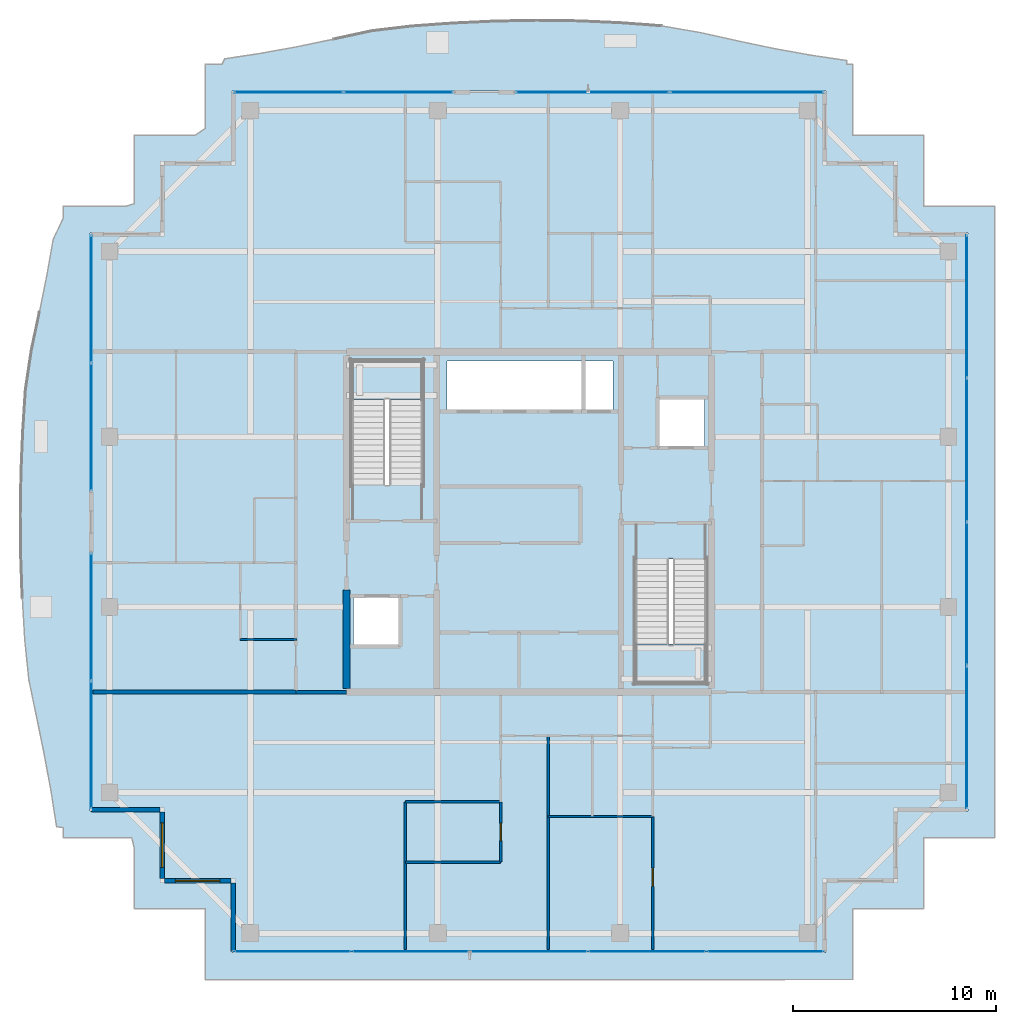
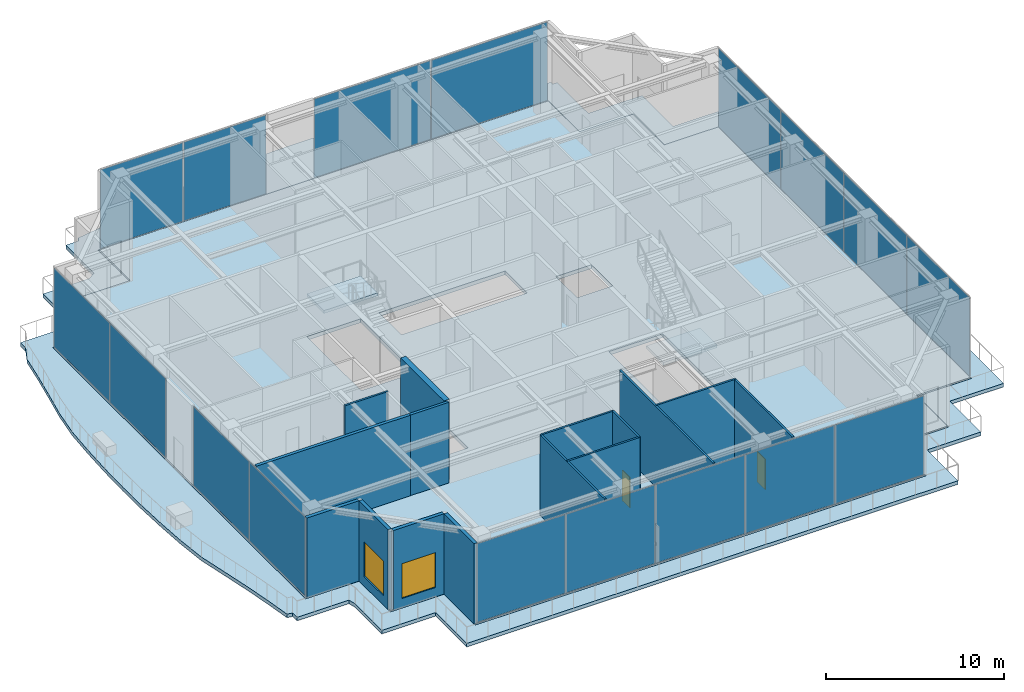
# One storey, part 25 of 38: 17 plates, 15 walls, 4 slabs, 2 doors, 2 windows, 4 openings, 8 elements without a shape of their own.
"""IFC4 building model written with IfcOpenShell, lengths in metres."""

from ifc_helpers import new_model, si_unit, direction, frame, frame_2d, origin, origin_2d, place, context, subcontext, project, spatial, polyline, rectangle, outline, extrude, source, transform, mapped, material, layer, layer_set, type_object, element, fill, aggregate, save


model = new_model("IFC4")

# Units and contexts
model_context = context("Model", 3, precision=1e-05, world=origin(), true_north=direction((0.0, 1.0)))
body_context = subcontext(model_context, "Body", "Model", "MODEL_VIEW")
ifc_project = project(units=[si_unit("LENGTHUNIT", "METRE"), si_unit("AREAUNIT", "SQUARE_METRE"), si_unit("VOLUMEUNIT", "CUBIC_METRE"), si_unit("PLANEANGLEUNIT", "RADIAN"), si_unit("MASSUNIT", "GRAM", prefix="KILO")], contexts=[model_context])

# Site, building, storey
site_placement = place(None, origin())
site = spatial("IfcSite", under=ifc_project, at=site_placement, CompositionType="ELEMENT")
building_placement = place(site_placement, origin())
building = spatial("IfcBuilding", under=site, at=building_placement, Name="Serunith Strait Residences", CompositionType="ELEMENT")
storey_placement = place(building_placement, frame((0.0, 0.0, 353.85009765625)))
storey = spatial("IfcBuildingStorey", under=building, at=storey_placement, Name="L87", CompositionType="ELEMENT", Elevation=353.85009765625)

# Slab
ifc_material_1 = material(Name="Concrete C50/60", Category="concrete")
ifc_layer_1 = layer(ifc_material_1, 0.239990234375, Name="Concrete C50/60")
ifc_layer_set_1 = layer_set([ifc_layer_1], Name="Concrete C50/60")
slab_type_1 = type_object("IfcSlabType", Name="SLB-BALC-240", PredefinedType="FLOOR", material=ifc_layer_set_1)
slab_1_placement = place(storey_placement, frame((0.0, 0.0, -0.2900390625)))
element("IfcSlab", 1, at=slab_1_placement, inside=storey, type_object=slab_type_1, Name="L87 Planted Vertical-Forest Balcony Slab", PredefinedType="FLOOR", context=body_context, shape_type="SweptSolid", body=[
    extrude(outline(polyline([(9.419921875, 9.6201171875), (9.419921875, 10.1142578125), (9.08935546875, 10.1630859375), (8.811767578125, 11.931640625), (8.481201171875, 13.720458984375), (8.108154296875, 15.547119140625), (7.716064453125, 17.42919921875), (7.515869140625, 19.420654296875), (7.3984375, 21.45751953125), (7.327392578125, 23.516845703125), (7.307861328125, 25.587158203125), (7.341796875, 27.655517578125), (7.42724609375, 29.708984375), (7.55859375, 31.736083984375), (7.85205078125, 33.685791015625), (8.243408203125, 35.544921875), (8.605224609375, 37.3544921875), (8.919189453125, 39.1328125), (9.419921875, 40.197265625), (9.419921875, 40.780029296875), (12.509765625, 40.780029296875), (12.919921875, 40.90283203125), (12.919921875, 44.280029296875), (15.913818359375, 44.280029296875), (16.419921875, 44.608154296875), (16.419921875, 47.780029296875), (17.244384765625, 47.780029296875), (17.380615234375, 48.052490234375), (19.149169921875, 48.32080078125), (20.935302734375, 48.645751953125), (22.755615234375, 49.02099609375), (24.629150390625, 49.426513671875), (26.61083984375, 49.664306640625), (28.646728515625, 49.809326171875), (30.710205078125, 49.90673828125), (32.7890625, 49.945068359375), (34.867919921875, 49.91748046875), (36.929931640625, 49.82470703125), (38.961181640625, 49.6748046875), (40.902099609375, 49.340087890625), (42.751708984375, 48.92529296875), (44.551513671875, 48.548828125), (46.322509765625, 48.229248046875), (48.081298828125, 47.969970703125), (48.079345703125, 47.780029296875), (48.3798828125, 47.780029296875), (48.3798828125, 44.280029296875), (51.8798828125, 44.280029296875), (51.8798828125, 40.780029296875), (55.3798828125, 40.780029296875), (55.3798828125, 9.6201171875), (51.8798828125, 9.6201171875), (51.8798828125, 6.1201171875), (48.43212890625, 6.1201171875), (48.3798828125, 6.0927734375), (48.3798828125, 2.6201171875), (16.419921875, 2.6201171875), (16.419921875, 6.1201171875), (12.919921875, 6.1201171875), (12.919921875, 9.119140625), (12.79931640625, 9.6201171875), (9.419921875, 9.6201171875)]), holes=[polyline([(47.054931640625, 3.945068359375), (47.054931640625, 7.445068359375), (50.554931640625, 7.445068359375), (50.554931640625, 10.945068359375), (54.054931640625, 10.945068359375), (54.054931640625, 39.455078125), (50.554931640625, 39.455078125), (50.554931640625, 42.955078125), (47.054931640625, 42.955078125), (47.054931640625, 46.455078125), (17.7451171875, 46.455078125), (17.7451171875, 42.955078125), (14.2451171875, 42.955078125), (14.2451171875, 39.455078125), (10.7451171875, 39.455078125), (10.7451171875, 10.945068359375), (14.2451171875, 10.945068359375), (14.2451171875, 7.445068359375), (17.7451171875, 7.445068359375), (17.7451171875, 3.945068359375), (47.054931640625, 3.945068359375)])]), origin(), (0.0, 0.0, 1.0), 0.239990234375),
])

# Stair, slab
stair_type_1 = type_object("IfcStairType", Name="STR-CORE-1", PredefinedType="HALF_TURN_STAIR", material=ifc_material_1)
stair_1_placement = place(storey_placement, origin())
stair_1 = element("IfcStair", 2, at=stair_1_placement, inside=storey, type_object=stair_type_1, Name="L87 Protected Escape Stair ST-1", PredefinedType="HALF_TURN_STAIR")
ifc_layer_2 = layer(ifc_material_1, 0.199951171875, Name="Concrete C50/60")
ifc_layer_set_2 = layer_set([ifc_layer_2], Name="Concrete C50/60")
slab_type_2 = type_object("IfcSlabType", Name="SLB-LAND-200", PredefinedType="LANDING", material=ifc_layer_set_2)
slab_2_placement = place(storey_placement, frame((0.0, 0.0, 2.75)))
slab_2 = element("IfcSlab", 3, at=slab_2_placement, type_object=slab_type_2, Name="ST-1 landing 1", PredefinedType="LANDING", context=body_context, shape_type="SweptSolid", body=[
    extrude(outline(polyline([(27.14990234375, 31.22998046875), (27.14990234375, 33.14990234375), (23.64990234375, 33.14990234375), (23.64990234375, 31.22998046875), (27.14990234375, 31.22998046875)])), origin(), (0.0, 0.0, 1.0), 0.199951171875),
])
aggregate(stair_1, [slab_2])

stair_type_2 = type_object("IfcStairType", Name="STR-CORE-2", PredefinedType="HALF_TURN_STAIR", material=ifc_material_1)
stair_2_placement = place(storey_placement, origin())
stair_2 = element("IfcStair", 4, at=stair_2_placement, inside=storey, type_object=stair_type_2, Name="L87 Protected Escape Stair ST-2", PredefinedType="HALF_TURN_STAIR")
slab_3_placement = place(storey_placement, frame((0.0, 0.0, 2.75)))
slab_3 = element("IfcSlab", 5, at=slab_3_placement, type_object=slab_type_2, Name="ST-2 landing 1", PredefinedType="LANDING", context=body_context, shape_type="SweptSolid", body=[
    extrude(outline(polyline([(37.64990234375, 19.169921875), (37.64990234375, 17.25), (41.14990234375, 17.25), (41.14990234375, 19.169921875), (37.64990234375, 19.169921875)])), origin(), (0.0, 0.0, 1.0), 0.199951171875),
])
aggregate(stair_2, [slab_3])

# Slab
ifc_material_2 = material(Name="Concrete C60/75", Category="concrete")
ifc_layer_3 = layer(ifc_material_2, 0.260009765625, Name="Concrete C60/75")
ifc_layer_set_3 = layer_set([ifc_layer_3], Name="Concrete C60/75")
slab_type_3 = type_object("IfcSlabType", Name="SLB-TWR-290-Z4", PredefinedType="FLOOR", material=ifc_layer_set_3)
slab_4_placement = place(storey_placement, frame((0.0, 0.0, -0.260009765625)))
element("IfcSlab", 6, at=slab_4_placement, inside=storey, type_object=slab_type_3, Name="L87 Structural Floor Plate", PredefinedType="FLOOR", context=body_context, shape_type="SweptSolid", body=[
    extrude(outline(polyline([(17.800048828125, 7.5), (14.300048828125, 7.5), (14.300048828125, 11.0), (10.800048828125, 11.0), (10.800048828125, 39.39990234375), (14.300048828125, 39.39990234375), (14.300048828125, 42.89990234375), (17.800048828125, 42.89990234375), (17.800048828125, 46.39990234375), (47.0, 46.39990234375), (47.0, 42.89990234375), (50.5, 42.89990234375), (50.5, 39.39990234375), (54.0, 39.39990234375), (54.0, 11.0), (50.5, 11.0), (50.5, 7.5), (47.0, 7.5), (47.0, 4.0), (17.800048828125, 4.0), (17.800048828125, 7.5)]), holes=[polyline([(41.14990234375, 23.3701171875), (37.64990234375, 23.3701171875), (37.64990234375, 17.25), (41.14990234375, 17.25), (41.14990234375, 23.3701171875)]), polyline([(38.75, 31.25), (38.75, 28.85009765625), (41.050048828125, 28.85009765625), (41.050048828125, 31.25), (38.75, 31.25)]), polyline([(36.550048828125, 33.14990234375), (28.35009765625, 33.14990234375), (28.35009765625, 30.64990234375), (36.550048828125, 30.64990234375), (36.550048828125, 33.14990234375)]), polyline([(23.64990234375, 33.14990234375), (23.64990234375, 27.030029296875), (27.14990234375, 27.030029296875), (27.14990234375, 33.14990234375), (23.64990234375, 33.14990234375)]), polyline([(23.75, 21.550048828125), (23.75, 19.14990234375), (26.050048828125, 19.14990234375), (26.050048828125, 21.550048828125), (23.75, 21.550048828125)])]), origin(), (0.0, 0.0, 1.0), 0.260009765625),
])

# Curtain wall, plates
ifc_material_3 = material(Name="Brushed Stainless-Silver Aluminium", Category="aluminium")
ifc_layer_4 = layer(ifc_material_3, 0.199951171875, Name="Brushed Stainless-Silver Aluminium")
ifc_layer_set_4 = layer_set([ifc_layer_4], Name="Brushed Stainless-Silver Aluminium")
curtain_wall_type = type_object("IfcCurtainWallType", Name="CW-SYS5", PredefinedType="NOTDEFINED", material=ifc_layer_set_4)
curtain_wall_1_placement = place(storey_placement, origin())
curtain_wall_1 = element("IfcCurtainWall", 7, at=curtain_wall_1_placement, inside=storey, type_object=curtain_wall_type, Name="L87 S Unitised Fritted Curtain Wall", PredefinedType="NOTDEFINED")
ifc_material_4 = material(Name="Triple-Silver Low-E Operable Glazing 34mm", Category="glass")
ifc_layer_5 = layer(ifc_material_4, 0.033935546875, Name="Triple-Silver Low-E Operable Glazing 34mm")
ifc_layer_set_5 = layer_set([ifc_layer_5], Name="Triple-Silver Low-E Operable Glazing 34mm")
plate_type = type_object("IfcPlateType", Name="CW-SYS5-PNL", PredefinedType="CURTAIN_PANEL", material=ifc_layer_set_5)
shared_shape_1 = source(origin(), body_context, "Body", "SweptSolid", [
    extrude(rectangle(XDim=5.742431640625, YDim=0.033935546875, at=origin_2d()), origin(), (0.0, 0.0, 1.0), 5.405029296875),
])
plate_1_placement = place(storey_placement, frame((20.736328125, 4.0, 0.06005859375), z_axis=(0.0, 0.0, 1.0), x_axis=(1.0, 0.0, 0.0)))
plate_1 = element("IfcPlate", 8, at=plate_1_placement, type_object=plate_type, Name="CW-5 panel 1.1", PredefinedType="CURTAIN_PANEL", context=body_context, shape_type="MappedRepresentation", body=[
    mapped(shared_shape_1, transform((0.0, 0.0, 0.0), scale=1.0)),
])
plate_2_placement = place(storey_placement, frame((44.063720703125, 4.0, 0.06005859375), z_axis=(0.0, 0.0, 1.0), x_axis=(1.0, 0.0, 0.0)))
plate_2 = element("IfcPlate", 9, at=plate_2_placement, type_object=plate_type, Name="CW-5 panel 5.1", PredefinedType="CURTAIN_PANEL", context=body_context, shape_type="MappedRepresentation", body=[
    mapped(shared_shape_1, transform((0.0, 0.0, 0.0), scale=1.0)),
])
shared_shape_2 = source(origin(), body_context, "Body", "SweptSolid", [
    extrude(rectangle(XDim=5.77490234375, YDim=0.033935546875, at=origin_2d()), origin(), (0.0, 0.0, 1.0), 5.405029296875),
])
plate_3_placement = place(storey_placement, frame((26.56005859375, 4.0, 0.06005859375), z_axis=(0.0, 0.0, 1.0), x_axis=(1.0, 0.0, 0.0)))
plate_3 = element("IfcPlate", 10, at=plate_3_placement, type_object=plate_type, Name="CW-5 panel 2.1", PredefinedType="CURTAIN_PANEL", context=body_context, shape_type="MappedRepresentation", body=[
    mapped(shared_shape_2, transform((0.0, 0.0, 0.0), scale=1.0)),
])
plate_4_placement = place(storey_placement, frame((32.39990234375, 4.0, 0.06005859375), z_axis=(0.0, 0.0, 1.0), x_axis=(1.0, 0.0, 0.0)))
plate_4 = element("IfcPlate", 11, at=plate_4_placement, type_object=plate_type, Name="CW-5 panel 3.1", PredefinedType="CURTAIN_PANEL", context=body_context, shape_type="MappedRepresentation", body=[
    mapped(shared_shape_2, transform((0.0, 0.0, 0.0), scale=1.0)),
])
plate_5_placement = place(storey_placement, frame((38.239990234375, 4.0, 0.06005859375), z_axis=(0.0, 0.0, 1.0), x_axis=(1.0, 0.0, 0.0)))
plate_5 = element("IfcPlate", 12, at=plate_5_placement, type_object=plate_type, Name="CW-5 panel 4.1", PredefinedType="CURTAIN_PANEL", context=body_context, shape_type="MappedRepresentation", body=[
    mapped(shared_shape_2, transform((0.0, 0.0, 0.0), scale=1.0)),
])
aggregate(curtain_wall_1, [plate_1, plate_3, plate_4, plate_5, plate_2])

curtain_wall_2_placement = place(storey_placement, origin())
curtain_wall_2 = element("IfcCurtainWall", 13, at=curtain_wall_2_placement, inside=storey, type_object=curtain_wall_type, Name="L87 E Unitised Fritted Curtain Wall", PredefinedType="NOTDEFINED")
shared_shape_3 = source(origin(), body_context, "Body", "SweptSolid", [
    extrude(rectangle(XDim=7.00244140625, YDim=0.033935546875, at=origin_2d()), origin(), (0.0, 0.0, 1.0), 5.405029296875),
])
plate_6_placement = place(storey_placement, frame((54.0, 14.566162109375, 0.06005859375), z_axis=(0.0, 0.0, 1.0), x_axis=(0.0, 1.0, 0.0)))
plate_6 = element("IfcPlate", 14, at=plate_6_placement, type_object=plate_type, Name="CW-5 panel 1.1", PredefinedType="CURTAIN_PANEL", context=body_context, shape_type="MappedRepresentation", body=[
    mapped(shared_shape_3, transform((0.0, 0.0, 0.0), scale=1.0)),
])
plate_7_placement = place(storey_placement, frame((54.0, 35.833740234375, 0.06005859375), z_axis=(0.0, 0.0, 1.0), x_axis=(0.0, 1.0, 0.0)))
plate_7 = element("IfcPlate", 15, at=plate_7_placement, type_object=plate_type, Name="CW-5 panel 4.1", PredefinedType="CURTAIN_PANEL", context=body_context, shape_type="MappedRepresentation", body=[
    mapped(shared_shape_3, transform((0.0, 0.0, 0.0), scale=1.0)),
])
shared_shape_4 = source(origin(), body_context, "Body", "SweptSolid", [
    extrude(rectangle(XDim=7.034912109375, YDim=0.033935546875, at=origin_2d()), origin(), (0.0, 0.0, 1.0), 5.405029296875),
])
plate_8_placement = place(storey_placement, frame((54.0, 21.64990234375, 0.06005859375), z_axis=(0.0, 0.0, 1.0), x_axis=(0.0, 1.0, 0.0)))
plate_8 = element("IfcPlate", 16, at=plate_8_placement, type_object=plate_type, Name="CW-5 panel 2.1", PredefinedType="CURTAIN_PANEL", context=body_context, shape_type="MappedRepresentation", body=[
    mapped(shared_shape_4, transform((0.0, 0.0, 0.0), scale=1.0)),
])
plate_9_placement = place(storey_placement, frame((54.0, 28.75, 0.06005859375), z_axis=(0.0, 0.0, 1.0), x_axis=(0.0, 1.0, 0.0)))
plate_9 = element("IfcPlate", 17, at=plate_9_placement, type_object=plate_type, Name="CW-5 panel 3.1", PredefinedType="CURTAIN_PANEL", context=body_context, shape_type="MappedRepresentation", body=[
    mapped(shared_shape_4, transform((0.0, 0.0, 0.0), scale=1.0)),
])
aggregate(curtain_wall_2, [plate_6, plate_8, plate_9, plate_7])

curtain_wall_3_placement = place(storey_placement, origin())
curtain_wall_3 = element("IfcCurtainWall", 18, at=curtain_wall_3_placement, inside=storey, type_object=curtain_wall_type, Name="L87 N Unitised Fritted Curtain Wall", PredefinedType="NOTDEFINED")
shared_shape_5 = source(origin(), body_context, "Body", "SweptSolid", [
    extrude(rectangle(XDim=7.552490234375, YDim=0.033935546875, at=origin_2d()), origin(), (0.0, 0.0, 1.0), 5.405029296875),
])
plate_10_placement = place(storey_placement, frame((43.15869140625, 46.39990234375, 0.06005859375), z_axis=(0.0, 0.0, 1.0), x_axis=(-1.0, 0.0, 0.0)))
plate_10 = element("IfcPlate", 19, at=plate_10_placement, type_object=plate_type, Name="CW-5 panel 1.1", PredefinedType="CURTAIN_PANEL", context=body_context, shape_type="MappedRepresentation", body=[
    mapped(shared_shape_5, transform((0.0, 0.0, 0.0), scale=1.0)),
])
plate_11_placement = place(storey_placement, frame((35.541259765625, 46.39990234375, 0.06005859375), z_axis=(0.0, 0.0, 1.0), x_axis=(-1.0, 0.0, 0.0)))
plate_11 = element("IfcPlate", 20, at=plate_11_placement, type_object=plate_type, Name="CW-5 panel 2.1", PredefinedType="CURTAIN_PANEL", context=body_context, shape_type="MappedRepresentation", body=[
    mapped(shared_shape_5, transform((0.0, 0.0, 0.0), scale=1.0)),
])
aggregate(curtain_wall_3, [plate_10, plate_11])

curtain_wall_4_placement = place(storey_placement, origin())
curtain_wall_4 = element("IfcCurtainWall", 21, at=curtain_wall_4_placement, inside=storey, type_object=curtain_wall_type, Name="L87 N Unitised Fritted Curtain Wall", PredefinedType="NOTDEFINED")
shared_shape_6 = source(origin(), body_context, "Body", "SweptSolid", [
    extrude(rectangle(XDim=5.3525390625, YDim=0.033935546875, at=origin_2d()), origin(), (0.0, 0.0, 1.0), 5.405029296875),
])
plate_12_placement = place(storey_placement, frame((25.958740234375, 46.39990234375, 0.06005859375), z_axis=(0.0, 0.0, 1.0), x_axis=(-1.0, 0.0, 0.0)))
plate_12 = element("IfcPlate", 22, at=plate_12_placement, type_object=plate_type, Name="CW-5 panel 1.1", PredefinedType="CURTAIN_PANEL", context=body_context, shape_type="MappedRepresentation", body=[
    mapped(shared_shape_6, transform((0.0, 0.0, 0.0), scale=1.0)),
])
plate_13_placement = place(storey_placement, frame((20.541259765625, 46.39990234375, 0.06005859375), z_axis=(0.0, 0.0, 1.0), x_axis=(-1.0, 0.0, 0.0)))
plate_13 = element("IfcPlate", 23, at=plate_13_placement, type_object=plate_type, Name="CW-5 panel 2.1", PredefinedType="CURTAIN_PANEL", context=body_context, shape_type="MappedRepresentation", body=[
    mapped(shared_shape_6, transform((0.0, 0.0, 0.0), scale=1.0)),
])
aggregate(curtain_wall_4, [plate_12, plate_13])

curtain_wall_5_placement = place(storey_placement, origin())
curtain_wall_5 = element("IfcCurtainWall", 24, at=curtain_wall_5_placement, inside=storey, type_object=curtain_wall_type, Name="L87 W Unitised Fritted Curtain Wall", PredefinedType="NOTDEFINED")
shared_shape_7 = source(origin(), body_context, "Body", "SweptSolid", [
    extrude(rectangle(XDim=6.25244140625, YDim=0.033935546875, at=origin_2d()), origin(), (0.0, 0.0, 1.0), 5.405029296875),
])
plate_14_placement = place(storey_placement, frame((10.800048828125, 36.208740234375, 0.06005859375), z_axis=(0.0, 0.0, 1.0), x_axis=(0.0, -1.0, 0.0)))
plate_14 = element("IfcPlate", 25, at=plate_14_placement, type_object=plate_type, Name="CW-5 panel 1.1", PredefinedType="CURTAIN_PANEL", context=body_context, shape_type="MappedRepresentation", body=[
    mapped(shared_shape_7, transform((0.0, 0.0, 0.0), scale=1.0)),
])
plate_15_placement = place(storey_placement, frame((10.800048828125, 29.891357421875, 0.06005859375), z_axis=(0.0, 0.0, 1.0), x_axis=(0.0, -1.0, 0.0)))
plate_15 = element("IfcPlate", 26, at=plate_15_placement, type_object=plate_type, Name="CW-5 panel 2.1", PredefinedType="CURTAIN_PANEL", context=body_context, shape_type="MappedRepresentation", body=[
    mapped(shared_shape_7, transform((0.0, 0.0, 0.0), scale=1.0)),
])
aggregate(curtain_wall_5, [plate_14, plate_15])

curtain_wall_6_placement = place(storey_placement, origin())
curtain_wall_6 = element("IfcCurtainWall", 27, at=curtain_wall_6_placement, inside=storey, type_object=curtain_wall_type, Name="L87 W Unitised Fritted Curtain Wall", PredefinedType="NOTDEFINED")
plate_16_placement = place(storey_placement, frame((10.800048828125, 20.5087890625, 0.06005859375), z_axis=(0.0, 0.0, 1.0), x_axis=(0.0, -1.0, 0.0)))
plate_16 = element("IfcPlate", 28, at=plate_16_placement, type_object=plate_type, Name="CW-5 panel 1.1", PredefinedType="CURTAIN_PANEL", context=body_context, shape_type="MappedRepresentation", body=[
    mapped(shared_shape_7, transform((0.0, 0.0, 0.0), scale=1.0)),
])
plate_17_placement = place(storey_placement, frame((10.800048828125, 14.191162109375, 0.06005859375), z_axis=(0.0, 0.0, 1.0), x_axis=(0.0, -1.0, 0.0)))
plate_17 = element("IfcPlate", 29, at=plate_17_placement, type_object=plate_type, Name="CW-5 panel 2.1", PredefinedType="CURTAIN_PANEL", context=body_context, shape_type="MappedRepresentation", body=[
    mapped(shared_shape_7, transform((0.0, 0.0, 0.0), scale=1.0)),
])
aggregate(curtain_wall_6, [plate_16, plate_17])

# Wall
ifc_material_5 = material(Name="Pale-Champagne Aluminium Insulated Panel", Category="aluminium")
ifc_layer_6 = layer(ifc_material_5, 0.219970703125, Name="Pale-Champagne Aluminium Insulated Panel")
ifc_layer_set_6 = layer_set([ifc_layer_6], Name="Pale-Champagne Aluminium Insulated Panel")
wall_type_1 = type_object("IfcWallType", Name="EW-ALUM-220", PredefinedType="ELEMENTEDWALL", material=ifc_layer_set_6)
wall_1_placement = place(storey_placement, frame((10.800048828125, 11.0, 0.0), z_axis=(0.0, 0.0, 1.0), x_axis=(1.0, 0.0, 0.0)))
element("IfcWall", 30, at=wall_1_placement, inside=storey, type_object=wall_type_1, Name="L87 Girih Serrated Corner Wall 17", PredefinedType="ELEMENTEDWALL", context=body_context, shape_type="SweptSolid", body=[
    extrude(rectangle(XDim=3.389892578125, YDim=0.219970703125, at=frame_2d((1.69482421875, 0.0))), origin(), (0.0, 0.0, 1.0), 5.52490234375),
])

# Wall, opening, window
wall_2_placement = place(storey_placement, frame((14.300048828125, 10.889892578125, 0.0), z_axis=(0.0, 0.0, 1.0), x_axis=(0.0, -1.0, 0.0)))
wall_2 = element("IfcWall", 31, at=wall_2_placement, inside=storey, type_object=wall_type_1, Name="L87 Girih Serrated Corner Wall 18", PredefinedType="ELEMENTEDWALL", context=body_context, shape_type="SweptSolid", body=[
    extrude(rectangle(XDim=3.27978515625, YDim=0.219970703125, at=frame_2d((1.639892578125, 0.0))), origin(), (0.0, 0.0, 1.0), 5.52490234375),
])
opening_1_placement = place(wall_2_placement, frame((0.5400390625, 0.0, 0.64990234375)))
opening_1 = element("IfcOpeningElement", 32, at=opening_1_placement, cuts=wall_2, Name="Opening W-06", PredefinedType="OPENING", context=body_context, shape_type="SweptSolid", body=[
    extrude(rectangle(XDim=2.199951171875, YDim=2.39990234375, at=frame_2d((1.10009765625, 1.199951171875))), frame((0.0, 0.1201171875, 0.0), z_axis=(0.0, -1.0, 0.0), x_axis=(1.0, 0.0, 0.0)), (0.0, 0.0, 1.0), 0.239990234375),
])
ifc_material_6 = material(Name="Crown Penthouse Low-E Operable Window Glass", Category="glass")
window_type = type_object("IfcWindowType", Name="WIN-C6", PartitioningType="TRIPLE_PANEL_VERTICAL", PredefinedType="WINDOW", material=ifc_material_6)
shared_shape_8 = source(origin(), body_context, "Body", "SweptSolid", [
    extrude(rectangle(XDim=2.199951171875, YDim=2.39990234375, at=frame_2d((1.10009765625, 1.199951171875))), frame((0.0, 0.030029296875, 0.0), z_axis=(0.0, -1.0, 0.0), x_axis=(1.0, 0.0, 0.0)), (0.0, 0.0, 1.0), 0.06005859375),
])
window_1_placement = place(opening_1_placement, origin())
window_1 = element("IfcWindow", 33, at=window_1_placement, inside=storey, type_object=window_type, Name="L87 Corner Operable Fritted Window 18", OverallHeight=2.39990234375, OverallWidth=2.199951171875, PartitioningType="SINGLE_PANEL", PredefinedType="WINDOW", context=body_context, shape_type="MappedRepresentation", body=[
    mapped(shared_shape_8, transform((0.0, 0.0, 0.0), scale=1.0)),
])
fill(opening_1, window_1)

wall_3_placement = place(storey_placement, frame((14.409912109375, 7.5, 0.0), z_axis=(0.0, 0.0, 1.0), x_axis=(1.0, 0.0, 0.0)))
wall_3 = element("IfcWall", 34, at=wall_3_placement, inside=storey, type_object=wall_type_1, Name="L87 Girih Serrated Corner Wall 19", PredefinedType="ELEMENTEDWALL", context=body_context, shape_type="SweptSolid", body=[
    extrude(rectangle(XDim=3.280029296875, YDim=0.219970703125, at=frame_2d((1.64013671875, 0.0))), origin(), (0.0, 0.0, 1.0), 5.52490234375),
])
opening_2_placement = place(wall_3_placement, frame((0.5400390625, 0.0, 0.64990234375)))
opening_2 = element("IfcOpeningElement", 35, at=opening_2_placement, cuts=wall_3, Name="Opening W-06", PredefinedType="OPENING", context=body_context, shape_type="SweptSolid", body=[
    extrude(rectangle(XDim=2.199951171875, YDim=2.39990234375, at=frame_2d((1.10009765625, 1.199951171875))), frame((0.0, 0.1201171875, 0.0), z_axis=(0.0, -1.0, 0.0), x_axis=(1.0, 0.0, 0.0)), (0.0, 0.0, 1.0), 0.239990234375),
])
window_2_placement = place(opening_2_placement, origin())
window_2 = element("IfcWindow", 36, at=window_2_placement, inside=storey, type_object=window_type, Name="L87 Corner Operable Fritted Window 19", OverallHeight=2.39990234375, OverallWidth=2.199951171875, PartitioningType="SINGLE_PANEL", PredefinedType="WINDOW", context=body_context, shape_type="MappedRepresentation", body=[
    mapped(shared_shape_8, transform((0.0, 0.0, 0.0), scale=1.0)),
])
fill(opening_2, window_2)

# Walls
wall_4_placement = place(storey_placement, frame((17.800048828125, 7.389892578125, 0.0), z_axis=(0.0, 0.0, 1.0), x_axis=(0.0, -1.0, 0.0)))
element("IfcWall", 37, at=wall_4_placement, inside=storey, type_object=wall_type_1, Name="L87 Girih Serrated Corner Wall 20", PredefinedType="ELEMENTEDWALL", context=body_context, shape_type="SweptSolid", body=[
    extrude(rectangle(XDim=3.389892578125, YDim=0.219970703125, at=frame_2d((1.69482421875, 0.0))), origin(), (0.0, 0.0, 1.0), 5.52490234375),
])
ifc_material_7 = material(Name="Fire-rated acoustic gypsum partition")
ifc_layer_7 = layer(ifc_material_7, 0.179931640625, Name="Fire-rated acoustic gypsum partition")
ifc_layer_set_7 = layer_set([ifc_layer_7], Name="Fire-rated acoustic gypsum partition")
wall_type_2 = type_object("IfcWallType", Name="IW-CORR-180", PredefinedType="PARTITIONING", material=ifc_layer_set_7)
wall_5_placement = place(storey_placement, frame((20.902099609375, 16.800048828125, 0.0), z_axis=(0.0, 0.0, 1.0), x_axis=(1.0, 0.0, 0.0)))
element("IfcWall", 38, at=wall_5_placement, inside=storey, type_object=wall_type_2, Name="L87 Partition Wall 022", PredefinedType="PARTITIONING", context=body_context, shape_type="SweptSolid", body=[
    extrude(rectangle(XDim=2.495849609375, YDim=0.179931640625, at=frame_2d((1.248046875, 0.0))), origin(), (0.0, 0.0, 1.0), 5.539794921875),
])

# Wall, opening, door
ifc_material_8 = material(Name="Lightweight steel-stud gypsum partition", Category="steel")
ifc_layer_8 = layer(ifc_material_8, 0.1201171875, Name="Lightweight steel-stud gypsum partition")
ifc_layer_set_8 = layer_set([ifc_layer_8], Name="Lightweight steel-stud gypsum partition")
wall_type_3 = type_object("IfcWallType", Name="IW-PART-120", PredefinedType="PARTITIONING", material=ifc_layer_set_8)
wall_6_placement = place(storey_placement, frame((38.5, 4.094970703125, 0.0), z_axis=(0.0, 0.0, 1.0), x_axis=(0.0, 1.0, 0.0)))
wall_6 = element("IfcWall", 39, at=wall_6_placement, inside=storey, type_object=wall_type_3, Name="L87 Partition Wall 031", PredefinedType="PARTITIONING", context=body_context, shape_type="SweptSolid", body=[
    extrude(rectangle(XDim=6.569091796875, YDim=0.1201171875, at=frame_2d((3.28466796875, 0.0))), origin(), (0.0, 0.0, 1.0), 5.539794921875),
])
opening_3_placement = place(wall_6_placement, frame((3.117919921875, 0.0, 0.0)))
opening_3 = element("IfcOpeningElement", 40, at=opening_3_placement, cuts=wall_6, Name="Opening D-RM900", PredefinedType="OPENING", context=body_context, shape_type="SweptSolid", body=[
    extrude(rectangle(XDim=0.89990234375, YDim=2.10009765625, at=frame_2d((0.449951171875, 1.050048828125))), frame((0.0, 0.070068359375, 0.0), z_axis=(0.0, -1.0, 0.0), x_axis=(1.0, 0.0, 0.0)), (0.0, 0.0, 1.0), 0.14013671875),
])
ifc_material_9 = material(Name="Engineered timber flush bedroom door", Category="wood")
door_type_1 = type_object("IfcDoorType", Name="ID-ROOM-900", OperationType="NOTDEFINED", PredefinedType="DOOR", material=ifc_material_9)
shared_shape_9 = source(origin(), body_context, "Body", "SweptSolid", [
    extrude(rectangle(XDim=0.89990234375, YDim=2.10009765625, at=frame_2d((0.449951171875, 1.050048828125))), frame((0.0, 0.02490234375, 0.0), z_axis=(0.0, -1.0, 0.0), x_axis=(1.0, 0.0, 0.0)), (0.0, 0.0, 1.0), 0.050048828125),
])
door_1_placement = place(opening_3_placement, origin())
door_1 = element("IfcDoor", 41, at=door_1_placement, inside=storey, type_object=door_type_1, Name="L87 Formal Dining Room 1 8701 Door", OperationType="SINGLE_SWING_RIGHT", OverallHeight=2.10009765625, OverallWidth=0.89990234375, PredefinedType="DOOR", context=body_context, shape_type="MappedRepresentation", body=[
    mapped(shared_shape_9, transform((0.0, 0.0, 0.0), scale=1.0)),
])
fill(opening_3, door_1)

# Walls
wall_7_placement = place(storey_placement, frame((33.35009765625, 10.6640625, 0.0), z_axis=(0.0, 0.0, 1.0), x_axis=(1.0, 0.0, 0.0)))
element("IfcWall", 42, at=wall_7_placement, inside=storey, type_object=wall_type_3, Name="L87 Partition Wall 033", PredefinedType="PARTITIONING", context=body_context, shape_type="SweptSolid", body=[
    extrude(rectangle(XDim=5.14990234375, YDim=0.1201171875, at=frame_2d((2.574951171875, 0.0))), origin(), (0.0, 0.0, 1.0), 5.539794921875),
])
wall_8_placement = place(storey_placement, frame((33.35009765625, 4.094970703125, 0.0), z_axis=(0.0, 0.0, 1.0), x_axis=(0.0, 1.0, 0.0)))
element("IfcWall", 43, at=wall_8_placement, inside=storey, type_object=wall_type_3, Name="L87 Partition Wall 034", PredefinedType="PARTITIONING", context=body_context, shape_type="SweptSolid", body=[
    extrude(rectangle(XDim=10.554931640625, YDim=0.1201171875, at=frame_2d((5.27734375, 0.0))), origin(), (0.0, 0.0, 1.0), 5.539794921875),
])
wall_9_placement = place(storey_placement, frame((26.300048828125, 8.409912109375, 0.0), z_axis=(0.0, 0.0, 1.0), x_axis=(1.0, 0.0, 0.0)))
element("IfcWall", 44, at=wall_9_placement, inside=storey, type_object=wall_type_3, Name="L87 Partition Wall 039", PredefinedType="PARTITIONING", context=body_context, shape_type="SweptSolid", body=[
    extrude(rectangle(XDim=4.699951171875, YDim=0.1201171875, at=frame_2d((2.35009765625, 0.0))), origin(), (0.0, 0.0, 1.0), 5.539794921875),
])
wall_10_placement = place(storey_placement, frame((26.300048828125, 4.094970703125, 0.0), z_axis=(0.0, 0.0, 1.0), x_axis=(0.0, 1.0, 0.0)))
element("IfcWall", 45, at=wall_10_placement, inside=storey, type_object=wall_type_3, Name="L87 Partition Wall 040", PredefinedType="PARTITIONING", context=body_context, shape_type="SweptSolid", body=[
    extrude(rectangle(XDim=7.2939453125, YDim=0.1201171875, at=frame_2d((3.64697265625, 0.0))), origin(), (0.0, 0.0, 1.0), 5.539794921875),
])
wall_11_placement = place(storey_placement, frame((26.300048828125, 11.388916015625, 0.0), z_axis=(0.0, 0.0, 1.0), x_axis=(1.0, 0.0, 0.0)))
element("IfcWall", 46, at=wall_11_placement, inside=storey, type_object=wall_type_3, Name="L87 Partition Wall 041", PredefinedType="PARTITIONING", context=body_context, shape_type="SweptSolid", body=[
    extrude(rectangle(XDim=4.699951171875, YDim=0.1201171875, at=frame_2d((2.35009765625, 0.0))), origin(), (0.0, 0.0, 1.0), 5.539794921875),
])

# Wall, opening, door
wall_12_placement = place(storey_placement, frame((31.0, 8.409912109375, 0.0), z_axis=(0.0, 0.0, 1.0), x_axis=(0.0, 1.0, 0.0)))
wall_12 = element("IfcWall", 47, at=wall_12_placement, inside=storey, type_object=wall_type_3, Name="L87 Partition Wall 042", PredefinedType="PARTITIONING", context=body_context, shape_type="SweptSolid", body=[
    extrude(rectangle(XDim=2.97900390625, YDim=0.1201171875, at=frame_2d((1.489501953125, 0.0))), origin(), (0.0, 0.0, 1.0), 5.539794921875),
])
opening_4_placement = place(wall_12_placement, frame((1.06396484375, 0.0, 0.0)))
opening_4 = element("IfcOpeningElement", 48, at=opening_4_placement, cuts=wall_12, Name="Opening D-BTH850", PredefinedType="OPENING", context=body_context, shape_type="SweptSolid", body=[
    extrude(rectangle(XDim=0.85009765625, YDim=2.10009765625, at=frame_2d((0.425048828125, 1.050048828125))), frame((0.0, 0.070068359375, 0.0), z_axis=(0.0, -1.0, 0.0), x_axis=(1.0, 0.0, 0.0)), (0.0, 0.0, 1.0), 0.14013671875),
])
ifc_material_10 = material(Name="Moisture-resistant timber bathroom door", Category="wood")
door_type_2 = type_object("IfcDoorType", Name="ID-BATH-850", OperationType="NOTDEFINED", PredefinedType="DOOR", material=ifc_material_10)
shared_shape_10 = source(origin(), body_context, "Body", "SweptSolid", [
    extrude(rectangle(XDim=0.85009765625, YDim=2.10009765625, at=frame_2d((0.425048828125, 1.050048828125))), frame((0.0, 0.02490234375, 0.0), z_axis=(0.0, -1.0, 0.0), x_axis=(1.0, 0.0, 0.0)), (0.0, 0.0, 1.0), 0.050048828125),
])
door_2_placement = place(opening_4_placement, origin())
door_2 = element("IfcDoor", 49, at=door_2_placement, inside=storey, type_object=door_type_2, Name="L87 En-suite Bathroom W 8701 Door", OperationType="SINGLE_SWING_RIGHT", OverallHeight=2.10009765625, OverallWidth=0.85009765625, PredefinedType="DOOR", context=body_context, shape_type="MappedRepresentation", body=[
    mapped(shared_shape_10, transform((0.0, 0.0, 0.0), scale=1.0)),
])
fill(opening_4, door_2)

# Walls
wall_13_placement = place(storey_placement, frame((18.14990234375, 19.39990234375, 0.0), z_axis=(0.0, 0.0, 1.0), x_axis=(1.0, 0.0, 0.0)))
element("IfcWall", 50, at=wall_13_placement, inside=storey, type_object=wall_type_3, Name="L87 Partition Wall 069", PredefinedType="PARTITIONING", context=body_context, shape_type="SweptSolid", body=[
    extrude(rectangle(XDim=2.81005859375, YDim=0.1201171875, at=frame_2d((1.405029296875, 0.0))), origin(), (0.0, 0.0, 1.0), 5.539794921875),
])
ifc_material_11 = material(Name="Twin-stud acoustic gypsum board partition")
ifc_layer_9 = layer(ifc_material_11, 0.199951171875, Name="Twin-stud acoustic gypsum board partition")
ifc_layer_set_9 = layer_set([ifc_layer_9], Name="Twin-stud acoustic gypsum board partition")
wall_type_4 = type_object("IfcWallType", Name="IW-PARTY-200", PredefinedType="PARTITIONING", material=ifc_layer_set_9)
wall_14_placement = place(storey_placement, frame((10.882080078125, 16.800048828125, 0.0), z_axis=(0.0, 0.0, 1.0), x_axis=(1.0, 0.0, 0.0)))
element("IfcWall", 51, at=wall_14_placement, inside=storey, type_object=wall_type_4, Name="L87 Partition Wall 018", PredefinedType="PARTITIONING", context=body_context, shape_type="SweptSolid", body=[
    extrude(rectangle(XDim=10.017822265625, YDim=0.199951171875, at=frame_2d((5.0087890625, 0.0))), origin(), (0.0, 0.0, 1.0), 5.539794921875),
])
ifc_layer_10 = layer(ifc_material_2, 0.35009765625, Name="Concrete C60/75")
ifc_layer_set_10 = layer_set([ifc_layer_10], Name="Concrete C60/75")
wall_type_5 = type_object("IfcWallType", Name="SW-350-C60", PredefinedType="SHEAR", material=ifc_layer_set_10)
wall_15_placement = place(storey_placement, frame((23.39990234375, 16.97509765625, -0.260009765625), z_axis=(0.0, 0.0, 1.0), x_axis=(0.0, 1.0, 0.0)))
element("IfcWall", 52, at=wall_15_placement, inside=storey, type_object=wall_type_5, Name="L87 Core West Shear Wall South Pier", PredefinedType="SHEAR", context=body_context, shape_type="SweptSolid", body=[
    extrude(rectangle(XDim=4.875, YDim=0.35009765625, at=frame_2d((2.4375, 0.0))), origin(), (0.0, 0.0, 1.0), 5.7978515625),
])

save(model, "model.ifc")
